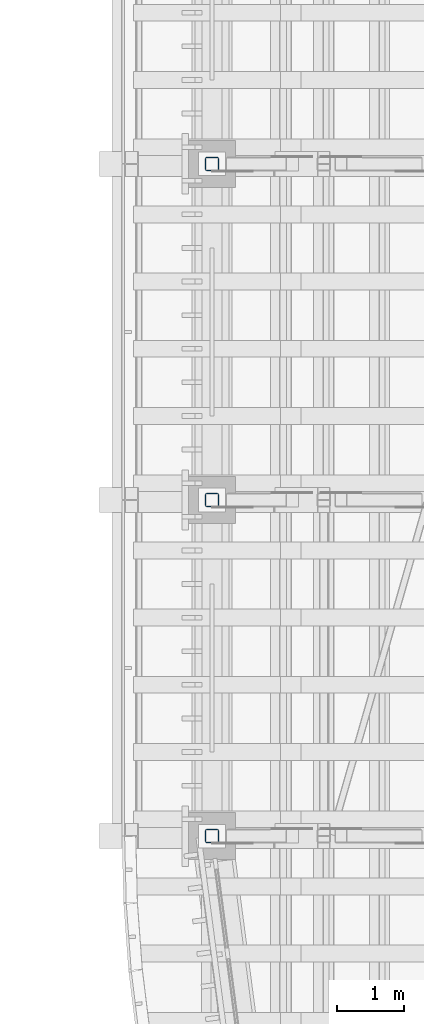
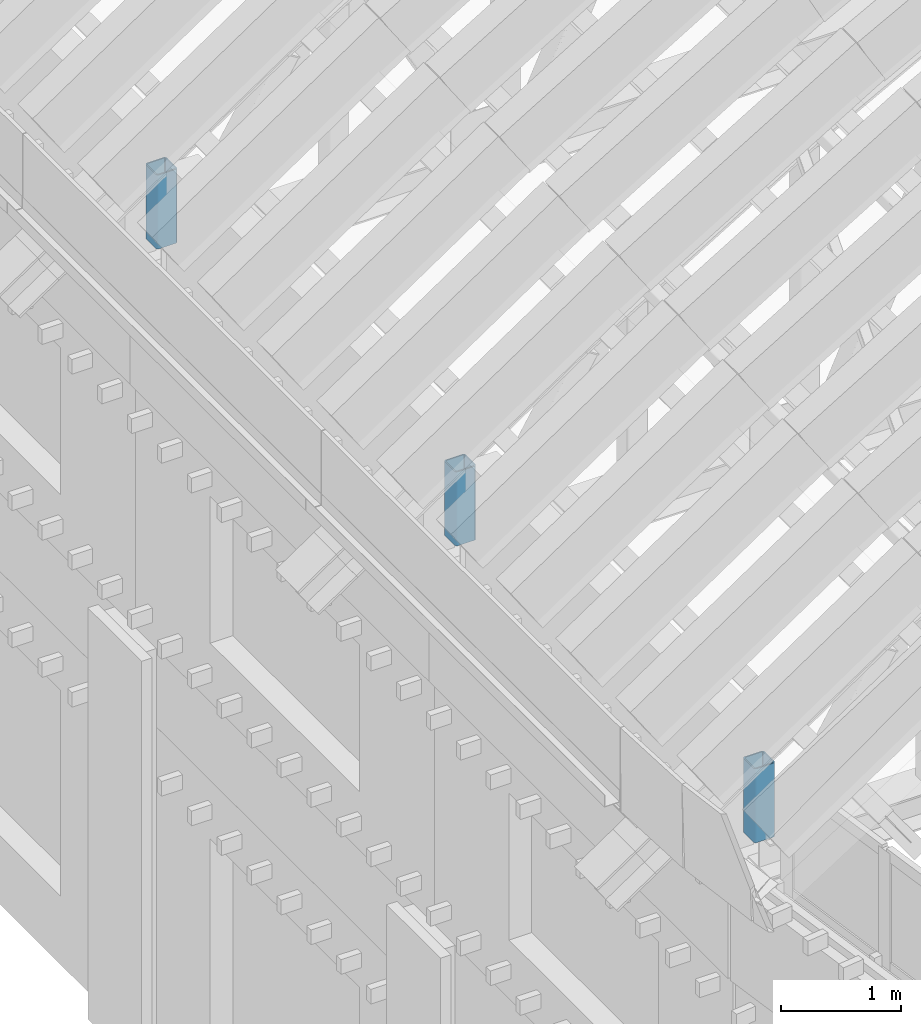
# One storey, part 43 of 105: 3 members.
"""IFC4 building model written with IfcOpenShell, lengths in metres."""

from ifc_helpers import new_model, si_unit, direction, frame, origin, origin_2d, place, context, subcontext, project, spatial, hollow_rectangle, extrude, material, material_profile, profile_set, type_object, element, save


model = new_model("IFC4")

# Units and contexts
model_context = context("Model", 3, precision=1e-05, world=origin(), true_north=direction((0.0, 1.0)))
body_context = subcontext(model_context, "Body", "Model", "MODEL_VIEW")
ifc_project = project(units=[si_unit("LENGTHUNIT", "METRE"), si_unit("AREAUNIT", "SQUARE_METRE"), si_unit("VOLUMEUNIT", "CUBIC_METRE"), si_unit("PLANEANGLEUNIT", "RADIAN"), si_unit("MASSUNIT", "GRAM", prefix="KILO")], contexts=[model_context])

# Site, building, storey
site_placement = place(None, origin())
site = spatial("IfcSite", under=ifc_project, at=site_placement, CompositionType="ELEMENT")
building_placement = place(site_placement, origin())
building = spatial("IfcBuilding", under=site, at=building_placement, Name="Wasatch Bagh Community Centre", CompositionType="ELEMENT")
storey_placement = place(building_placement, frame((0.0, 0.0, 16.800048828125)))
storey = spatial("IfcBuildingStorey", under=building, at=storey_placement, Name="L04", CompositionType="ELEMENT", Elevation=16.800048828125)

# Members
ifc_material = material(Name="ASTM A500 Grade C steel", Category="steel")
ifc_material_profile = material_profile(ifc_material, hollow_rectangle(XDim=0.203125, YDim=0.203125, WallThickness=0.01171875, InnerFilletRadius=0.01171875, OuterFilletRadius=0.023681640625, at=origin_2d()), Name="HSS8x8x1/2")
ifc_profile_set = profile_set([ifc_material_profile], Name="ASTM A500 Grade C steel")
member_type = type_object("IfcMemberType", Name="HSS8x8x1/2 post", PredefinedType="POST", material=ifc_profile_set)
for number, where, z_axis, x_axis, name in (
    (1, (17.25, 35.0, 8.070556640625), (0.0, 0.0, 1.0), (1.0, 0.0, 0.0), "MH.TA1.PS01"),
    (2, (17.25, 40.0, 8.070556640625), (0.0, 0.0, 1.0), (1.0, 0.0, 0.0), "MH.TA2.PS01"),
    (3, (17.25, 45.0, 8.070556640625), (0.0, 0.0, 1.0), (1.0, 0.0, 0.0), "MH.TA3.PS01"),
):
    element("IfcMember", number, at=place(storey_placement, frame(where, z_axis=z_axis, x_axis=x_axis)), inside=storey, type_object=member_type, Name=name, PredefinedType="POST", context=body_context, shape_type="SweptSolid", body=[
        extrude(hollow_rectangle(XDim=0.203125, YDim=0.203125, WallThickness=0.01171875, InnerFilletRadius=0.01171875, OuterFilletRadius=0.023681640625, at=origin_2d()), origin(), (0.0, 0.0, 1.0), 0.7568359375),
    ])

save(model, "model.ifc")
